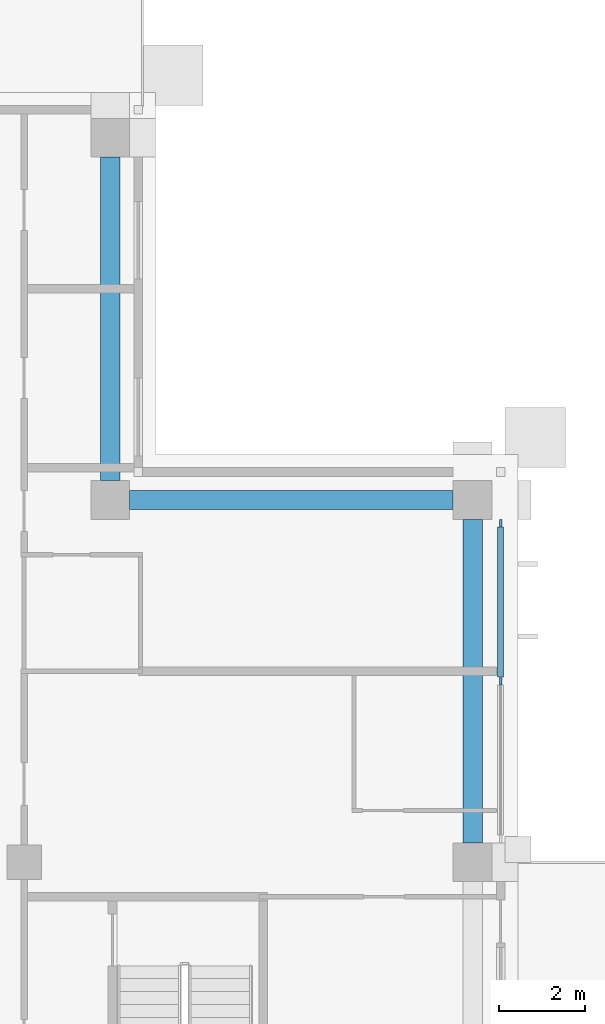
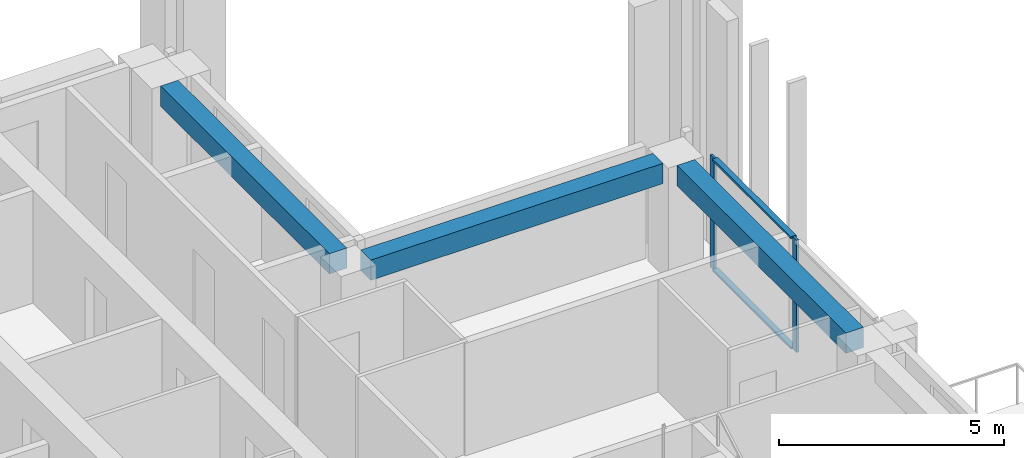
# One storey, part 6 of 18: 4 members, 3 beams, 1 element without a shape of its own.
"""IFC4 building model written with IfcOpenShell, lengths in metres."""

from ifc_helpers import new_model, si_unit, direction, frame, origin, origin_2d, place, context, subcontext, project, spatial, rectangle, extrude, material, material_profile, profile_set, type_object, element, aggregate, save


model = new_model("IFC4")

# Units and contexts
model_context = context("Model", 3, precision=1e-05, world=origin(), true_north=direction((0.0, 1.0)))
body_context = subcontext(model_context, "Body", "Model", "MODEL_VIEW")
ifc_project = project(units=[si_unit("LENGTHUNIT", "METRE"), si_unit("AREAUNIT", "SQUARE_METRE"), si_unit("VOLUMEUNIT", "CUBIC_METRE"), si_unit("PLANEANGLEUNIT", "RADIAN"), si_unit("MASSUNIT", "GRAM", prefix="KILO")], contexts=[model_context])

# Site, building, storey
site_placement = place(None, origin())
site = spatial("IfcSite", under=ifc_project, at=site_placement, CompositionType="ELEMENT")
building_placement = place(site_placement, origin())
building = spatial("IfcBuilding", under=site, at=building_placement, Name="Vermilion Ogive Tower", CompositionType="ELEMENT")
storey_placement = place(building_placement, frame((0.0, 0.0, 240.699951171875)))
storey = spatial("IfcBuildingStorey", under=building, at=storey_placement, Name="L63", CompositionType="ELEMENT", Elevation=240.699951171875)

# Curtain wall, members
ifc_material_1 = material(Name="Low-iron laminated glazing in aluminium frame", Category="aluminium")
curtain_wall_type = type_object("IfcCurtainWallType", Name="Curtain wall CW7", PredefinedType="NOTDEFINED", material=ifc_material_1)
curtain_wall_placement = place(storey_placement, origin())
curtain_wall = element("IfcCurtainWall", 1, at=curtain_wall_placement, inside=storey, type_object=curtain_wall_type, Name="Glazed skin E3", PredefinedType="NOTDEFINED")
ifc_material_2 = material(Name="Aluminium mullion", Category="aluminium")
ifc_material_profile_1 = material_profile(ifc_material_2, rectangle(XDim=0.06005859375, YDim=0.179931640625, at=origin_2d()), Name="AL 60x180")
ifc_profile_set_1 = profile_set([ifc_material_profile_1], Name="Aluminium mullion")
member_type_1 = type_object("IfcMemberType", Name="CW7 mullion 60x180", PredefinedType="MULLION", material=ifc_profile_set_1)
member_1_placement = place(storey_placement, frame((25.85009765625, 8.39990234375, 0.0), z_axis=(0.0, 0.0, 1.0), x_axis=(-1.0, 0.0, 0.0)))
member_1 = element("IfcMember", 2, at=member_1_placement, type_object=member_type_1, Name="CW7-E3 mullion 2", PredefinedType="MULLION", context=body_context, shape_type="SweptSolid", body=[
    extrude(rectangle(XDim=0.06005859375, YDim=0.179931640625, at=origin_2d()), origin(), (0.0, 0.0, 1.0), 3.050048828125),
])
member_2_placement = place(storey_placement, frame((25.85009765625, 12.06005859375, 0.0), z_axis=(0.0, 0.0, 1.0), x_axis=(-1.0, 0.0, 0.0)))
member_2 = element("IfcMember", 3, at=member_2_placement, type_object=member_type_1, Name="CW7-E3 mullion 3", PredefinedType="MULLION", context=body_context, shape_type="SweptSolid", body=[
    extrude(rectangle(XDim=0.06005859375, YDim=0.179931640625, at=origin_2d()), origin(), (0.0, 0.0, 1.0), 3.050048828125),
])
ifc_material_3 = material(Name="Aluminium transom", Category="aluminium")
ifc_material_profile_2 = material_profile(ifc_material_3, rectangle(XDim=0.139892578125, YDim=0.06005859375, at=origin_2d()), Name="AL 60x140")
ifc_profile_set_2 = profile_set([ifc_material_profile_2], Name="Aluminium transom")
member_type_2 = type_object("IfcMemberType", Name="CW7 transom 60x140", PredefinedType="USERDEFINED", material=ifc_profile_set_2)
member_3_placement = place(storey_placement, frame((25.85009765625, 8.489990234375, 0.030029296875), z_axis=(0.0, 1.0, 0.0), x_axis=(-1.0, 0.0, 0.0)))
member_3 = element("IfcMember", 4, at=member_3_placement, type_object=member_type_2, Name="CW7-E3 transom 2.1", ObjectType="TRANSOM", PredefinedType="USERDEFINED", context=body_context, shape_type="SweptSolid", body=[
    extrude(rectangle(XDim=0.139892578125, YDim=0.06005859375, at=origin_2d()), origin(), (0.0, 0.0, 1.0), 3.47998046875),
])
member_4_placement = place(storey_placement, frame((25.85009765625, 8.489990234375, 3.02001953125), z_axis=(0.0, 1.0, 0.0), x_axis=(-1.0, 0.0, 0.0)))
member_4 = element("IfcMember", 5, at=member_4_placement, type_object=member_type_2, Name="CW7-E3 transom 2.2", ObjectType="TRANSOM", PredefinedType="USERDEFINED", context=body_context, shape_type="SweptSolid", body=[
    extrude(rectangle(XDim=0.139892578125, YDim=0.06005859375, at=origin_2d()), origin(), (0.0, 0.0, 1.0), 3.47998046875),
])
aggregate(curtain_wall, [member_1, member_2, member_3, member_4])

# Beams
ifc_material_4 = material(Name="Concrete B45", Category="concrete")
ifc_material_profile_3 = material_profile(ifc_material_4, rectangle(XDim=0.449951171875, YDim=0.550048828125, at=origin_2d()), Name="450 x 550")
ifc_profile_set_3 = profile_set([ifc_material_profile_3], Name="Concrete B45")
beam_type = type_object("IfcBeamType", Name="Edge beam 450 x 550 B45", PredefinedType="BEAM", material=ifc_profile_set_3)
for number, where, z_axis, x_axis, name in (
    (6, (25.199951171875, 4.64990234375, 2.775146484375), (0.0, 1.0, 0.0), (-1.0, 0.0, 0.0), "L63-EB-9"),
    (7, (24.75, 12.60009765625, 2.775146484375), (-1.0, 0.0, 0.0), (0.0, -1.0, 0.0), "L63-EB-10"),
    (8, (16.800048828125, 13.050048828125, 2.775146484375), (0.0, 1.0, 0.0), (-1.0, 0.0, 0.0), "L63-EB-11"),
):
    element("IfcBeam", number, at=place(storey_placement, frame(where, z_axis=z_axis, x_axis=x_axis)), inside=storey, type_object=beam_type, Name=name, PredefinedType="BEAM", context=body_context, shape_type="SweptSolid", body=[
        extrude(rectangle(XDim=0.449951171875, YDim=0.550048828125, at=origin_2d()), origin(), (0.0, 0.0, 1.0), 7.5),
    ])

save(model, "model.ifc")
